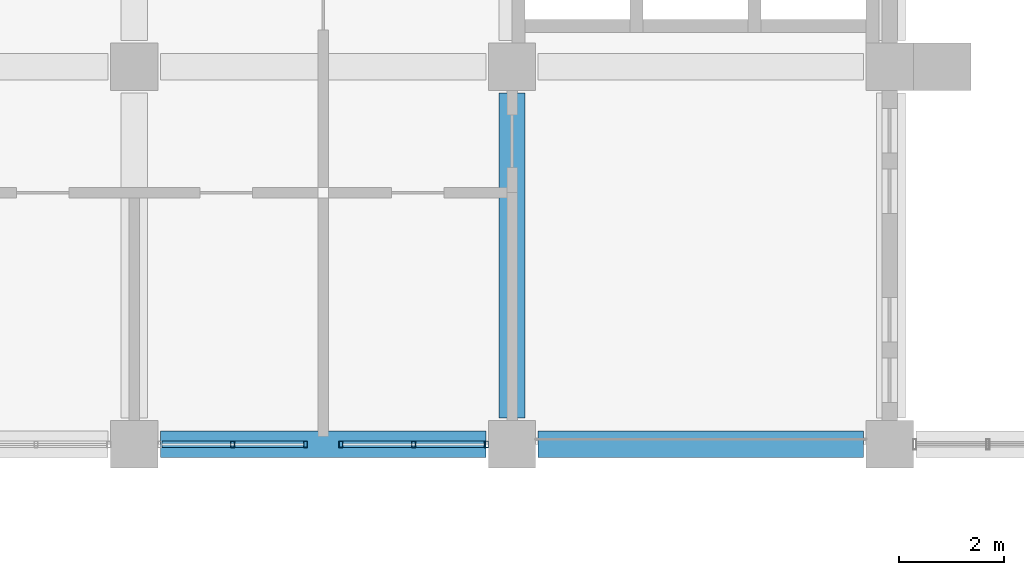
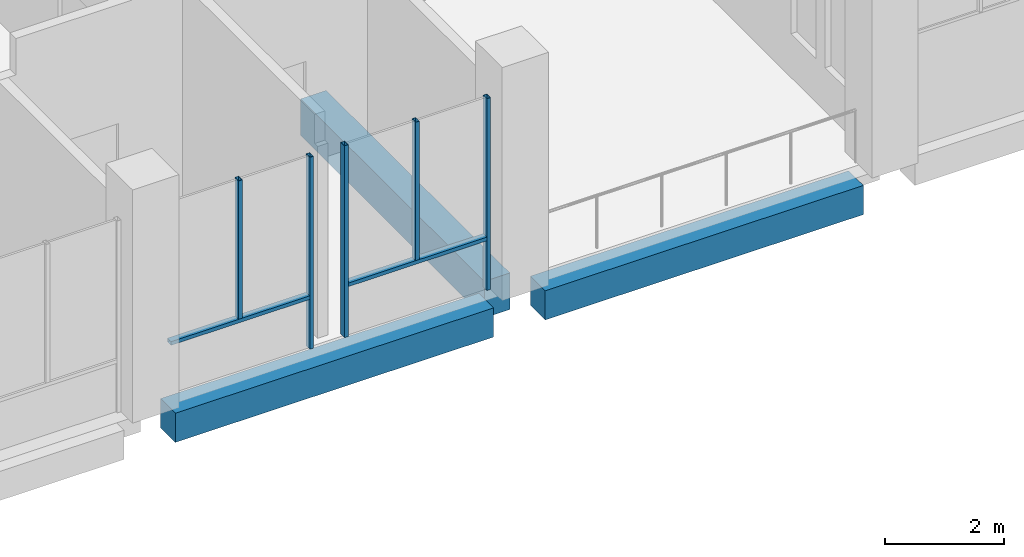
# One storey, part 10 of 40: 7 members, 3 beams, 2 elements without a shape of their own.
"""IFC4 building model written with IfcOpenShell, lengths in metres."""

from ifc_helpers import new_model, si_unit, direction, frame, origin, origin_2d, place, context, subcontext, project, spatial, rectangle, hollow_rectangle, extrude, material, material_profile, profile_set, type_object, element, aggregate, save


model = new_model("IFC4")

# Units and contexts
model_context = context("Model", 3, precision=1e-05, world=origin(), true_north=direction((0.0, 1.0)))
body_context = subcontext(model_context, "Body", "Model", "MODEL_VIEW")
ifc_project = project(units=[si_unit("LENGTHUNIT", "METRE"), si_unit("AREAUNIT", "SQUARE_METRE"), si_unit("VOLUMEUNIT", "CUBIC_METRE"), si_unit("PLANEANGLEUNIT", "RADIAN"), si_unit("MASSUNIT", "GRAM", prefix="KILO")], contexts=[model_context])

# Site, building, storey
site_placement = place(None, origin())
site = spatial("IfcSite", under=ifc_project, at=site_placement, CompositionType="ELEMENT")
building_placement = place(site_placement, origin())
building = spatial("IfcBuilding", under=site, at=building_placement, Name="Silangan Lancet Faculty of Sciences", CompositionType="ELEMENT")
storey_placement = place(building_placement, frame((0.0, 0.0, 16.800048828125)))
storey = spatial("IfcBuildingStorey", under=building, at=storey_placement, Name="L03", CompositionType="ELEMENT", Elevation=16.800048828125)

# Beams
ifc_material_1 = material(Name="Concrete C40/50", Category="concrete")
ifc_material_profile_1 = material_profile(ifc_material_1, rectangle(XDim=0.5, YDim=0.60009765625, at=origin_2d()), Name="RC 500x600")
ifc_profile_set_1 = profile_set([ifc_material_profile_1], Name="Concrete C40/50")
beam_type_1 = type_object("IfcBeamType", Name="BEAM RC 500x600", PredefinedType="BEAM", material=ifc_profile_set_1)
beam_1_placement = place(storey_placement, frame((14.89990234375, 36.0, -0.550048828125), z_axis=(1.0, 0.0, 0.0), x_axis=(0.0, 1.0, 0.0)))
element("IfcBeam", 1, at=beam_1_placement, inside=storey, type_object=beam_type_1, Name="BM-L03-3F-4F", PredefinedType="BEAM", context=body_context, shape_type="SweptSolid", body=[
    extrude(rectangle(XDim=0.5, YDim=0.60009765625, at=origin_2d()), origin(), (0.0, 0.0, 1.0), 6.2001953125),
])
beam_2_placement = place(storey_placement, frame((22.10009765625, 36.0, -0.550048828125), z_axis=(1.0, 0.0, 0.0), x_axis=(0.0, 1.0, 0.0)))
element("IfcBeam", 2, at=beam_2_placement, inside=storey, type_object=beam_type_1, Name="BM-L03-4F-5F", PredefinedType="BEAM", context=body_context, shape_type="SweptSolid", body=[
    extrude(rectangle(XDim=0.5, YDim=0.60009765625, at=origin_2d()), origin(), (0.0, 0.0, 1.0), 6.199951171875),
])
ifc_material_2 = material(Name="Concrete C40/50", Category="concrete")
ifc_material_profile_2 = material_profile(ifc_material_2, rectangle(XDim=0.5, YDim=0.75, at=origin_2d()), Name="RC 500x750")
ifc_profile_set_2 = profile_set([ifc_material_profile_2], Name="Concrete C40/50")
beam_type_2 = type_object("IfcBeamType", Name="BEAM RC 500x750", PredefinedType="BEAM", material=ifc_profile_set_2)
beam_3_placement = place(storey_placement, frame((21.60009765625, 36.5, -0.625), z_axis=(0.0, 1.0, 0.0), x_axis=(-1.0, 0.0, 0.0)))
element("IfcBeam", 3, at=beam_3_placement, inside=storey, type_object=beam_type_2, Name="BM-L03-4F-4G", PredefinedType="BEAM", context=body_context, shape_type="SweptSolid", body=[
    extrude(rectangle(XDim=0.5, YDim=0.75, at=origin_2d()), origin(), (0.0, 0.0, 1.0), 6.199951171875),
])

# Curtain wall, members
ifc_material_3 = material(Name="Aluminium framed curtain wall with insulated glass", Category="aluminium")
curtain_wall_type = type_object("IfcCurtainWallType", Name="CW2 Atrium fire-resisting screen", PredefinedType="NOTDEFINED", material=ifc_material_3)
curtain_wall_1_placement = place(storey_placement, origin())
curtain_wall_1 = element("IfcCurtainWall", 4, at=curtain_wall_1_placement, inside=storey, type_object=curtain_wall_type, Name="CW2 Atrium north L03 bay 5", PredefinedType="NOTDEFINED")
ifc_material_4 = material(Name="Steel S355J2H", Category="steel")
ifc_material_profile_3 = material_profile(ifc_material_4, hollow_rectangle(XDim=0.074951171875, YDim=0.125, WallThickness=0.0048828125, at=origin_2d()), Name="ST BOX 75x125x5")
ifc_profile_set_3 = profile_set([ifc_material_profile_3], Name="Steel S355J2H")
member_type_1 = type_object("IfcMemberType", Name="CM2 Mullion 75x125", PredefinedType="MULLION", material=ifc_profile_set_3)
member_1_placement = place(storey_placement, frame((17.66259765625, 36.0, 0.0), z_axis=(0.0, 0.0, 1.0), x_axis=(1.0, 0.0, 0.0)))
member_1 = element("IfcMember", 5, at=member_1_placement, type_object=member_type_1, Name="CW2 Atrium north L03 bay 5 mullion 2", PredefinedType="MULLION", context=body_context, shape_type="SweptSolid", body=[
    extrude(hollow_rectangle(XDim=0.074951171875, YDim=0.125, WallThickness=0.0048828125, at=origin_2d()), origin(), (0.0, 0.0, 1.0), 3.949951171875),
])
member_2_placement = place(storey_placement, frame((16.27490234375, 36.0, 1.099853515625), z_axis=(0.0, 0.0, 1.0), x_axis=(1.0, 0.0, 0.0)))
member_2 = element("IfcMember", 6, at=member_2_placement, type_object=member_type_1, Name="CW2 Atrium north L03 bay 5 mullion 3", PredefinedType="MULLION", context=body_context, shape_type="SweptSolid", body=[
    extrude(hollow_rectangle(XDim=0.074951171875, YDim=0.125, WallThickness=0.0048828125, at=origin_2d()), origin(), (0.0, 0.0, 1.0), 2.85009765625),
])

curtain_wall_2_placement = place(storey_placement, origin())
curtain_wall_2 = element("IfcCurtainWall", 7, at=curtain_wall_2_placement, inside=storey, type_object=curtain_wall_type, Name="CW2 Atrium north L03 bay 6", PredefinedType="NOTDEFINED")
member_3_placement = place(storey_placement, frame((18.33740234375, 36.0, 0.0), z_axis=(0.0, 0.0, 1.0), x_axis=(1.0, 0.0, 0.0)))
member_3 = element("IfcMember", 8, at=member_3_placement, type_object=member_type_1, Name="CW2 Atrium north L03 bay 6 mullion 1", PredefinedType="MULLION", context=body_context, shape_type="SweptSolid", body=[
    extrude(hollow_rectangle(XDim=0.074951171875, YDim=0.125, WallThickness=0.0048828125, at=origin_2d()), origin(), (0.0, 0.0, 1.0), 3.949951171875),
])
member_4_placement = place(storey_placement, frame((21.112548828125, 36.0, 0.0), z_axis=(0.0, 0.0, 1.0), x_axis=(1.0, 0.0, 0.0)))
member_4 = element("IfcMember", 9, at=member_4_placement, type_object=member_type_1, Name="CW2 Atrium north L03 bay 6 mullion 2", PredefinedType="MULLION", context=body_context, shape_type="SweptSolid", body=[
    extrude(hollow_rectangle(XDim=0.074951171875, YDim=0.125, WallThickness=0.0048828125, at=origin_2d()), origin(), (0.0, 0.0, 1.0), 3.949951171875),
])
member_5_placement = place(storey_placement, frame((19.72509765625, 36.0, 1.099853515625), z_axis=(0.0, 0.0, 1.0), x_axis=(1.0, 0.0, 0.0)))
member_5 = element("IfcMember", 10, at=member_5_placement, type_object=member_type_1, Name="CW2 Atrium north L03 bay 6 mullion 3", PredefinedType="MULLION", context=body_context, shape_type="SweptSolid", body=[
    extrude(hollow_rectangle(XDim=0.074951171875, YDim=0.125, WallThickness=0.0048828125, at=origin_2d()), origin(), (0.0, 0.0, 1.0), 2.85009765625),
])

# Member
ifc_material_5 = material(Name="Steel S355J2H", Category="steel")
ifc_material_profile_4 = material_profile(ifc_material_5, hollow_rectangle(XDim=0.125, YDim=0.074951171875, WallThickness=0.0048828125, at=origin_2d()), Name="ST BOX 125x75x5")
ifc_profile_set_4 = profile_set([ifc_material_profile_4], Name="Steel S355J2H")
member_type_2 = type_object("IfcMemberType", Name="CT2 Transom 125x75", PredefinedType="USERDEFINED", material=ifc_profile_set_4)
member_6_placement = place(storey_placement, frame((14.925048828125, 36.0, 1.0625), z_axis=(1.0, 0.0, 0.0), x_axis=(0.0, 1.0, 0.0)))
member_6 = element("IfcMember", 11, at=member_6_placement, type_object=member_type_2, Name="CW2 Atrium north L03 bay 5 transom 1", ObjectType="TRANSOM", PredefinedType="USERDEFINED", context=body_context, shape_type="SweptSolid", body=[
    extrude(hollow_rectangle(XDim=0.125, YDim=0.074951171875, WallThickness=0.0048828125, at=origin_2d()), origin(), (0.0, 0.0, 1.0), 2.699951171875),
])

aggregate(curtain_wall_1, [member_1, member_2, member_6])

member_7_placement = place(storey_placement, frame((18.375, 36.0, 1.0625), z_axis=(1.0, 0.0, 0.0), x_axis=(0.0, 1.0, 0.0)))
member_7 = element("IfcMember", 12, at=member_7_placement, type_object=member_type_2, Name="CW2 Atrium north L03 bay 6 transom 1", ObjectType="TRANSOM", PredefinedType="USERDEFINED", context=body_context, shape_type="SweptSolid", body=[
    extrude(hollow_rectangle(XDim=0.125, YDim=0.074951171875, WallThickness=0.0048828125, at=origin_2d()), origin(), (0.0, 0.0, 1.0), 2.699951171875),
])

aggregate(curtain_wall_2, [member_3, member_4, member_5, member_7])

save(model, "model.ifc")
